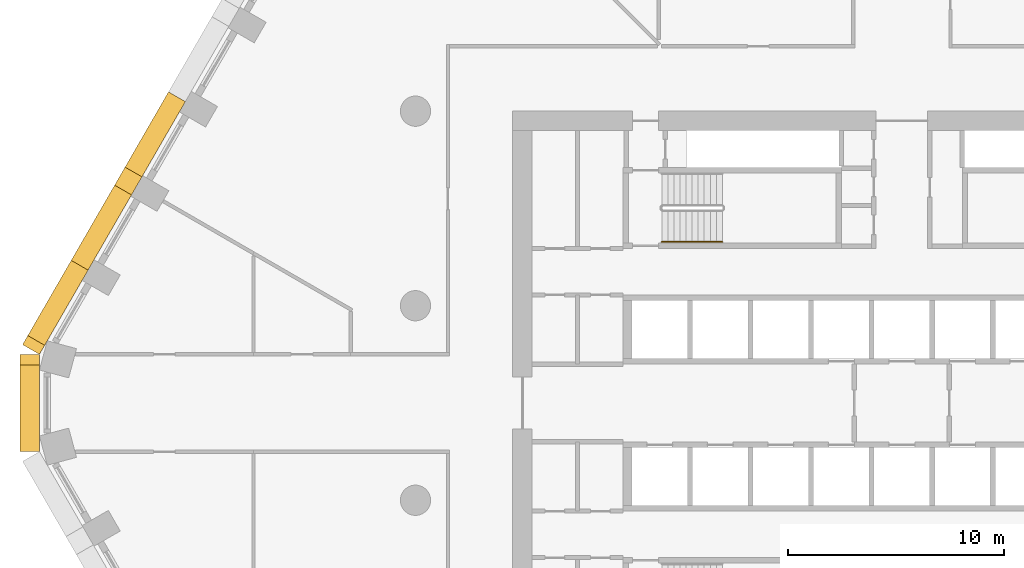
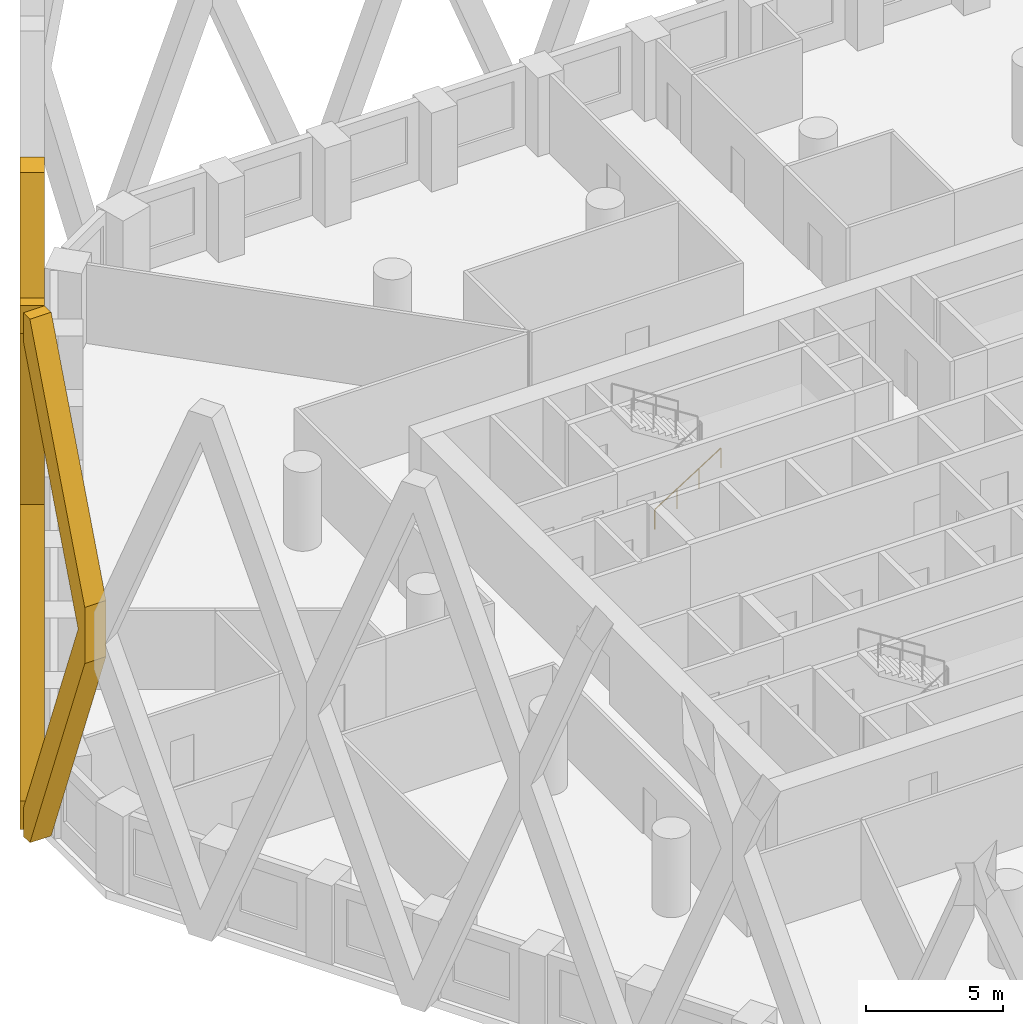
# One storey, part 14 of 18: 3 coverings, 1 railing.
"""IFC4 building model written with IfcOpenShell, lengths in metres."""

from ifc_helpers import new_model, si_unit, direction, frame, origin, origin_2d, place, context, subcontext, project, spatial, polyline, circle, outline, extrude, material, type_object, element, save


model = new_model("IFC4")

# Units and contexts
model_context = context("Model", 3, precision=1e-05, world=origin(), true_north=direction((0.0, 1.0)))
body_context = subcontext(model_context, "Body", "Model", "MODEL_VIEW")
ifc_project = project(units=[si_unit("LENGTHUNIT", "METRE"), si_unit("AREAUNIT", "SQUARE_METRE"), si_unit("VOLUMEUNIT", "CUBIC_METRE"), si_unit("PLANEANGLEUNIT", "RADIAN"), si_unit("MASSUNIT", "GRAM", prefix="KILO")], contexts=[model_context])

# Site, building, storey
site_placement = place(None, origin())
site = spatial("IfcSite", under=ifc_project, at=site_placement, CompositionType="ELEMENT")
building_placement = place(site_placement, origin())
building = spatial("IfcBuilding", under=site, at=building_placement, Name="Dhurran Vertical Campus", CompositionType="ELEMENT")
storey_placement = place(building_placement, frame((0.0, 0.0, 53.39990234375)))
storey = spatial("IfcBuildingStorey", under=building, at=storey_placement, Name="L12", CompositionType="ELEMENT", Elevation=53.39990234375)

# Coverings
ifc_material_1 = material(Name="Precast concrete C50/60", Category="concrete")
covering_type = type_object("IfcCoveringType", Name="Folded precast fin lattice diamond", PredefinedType="USERDEFINED", material=ifc_material_1)
covering_1_placement = place(storey_placement, frame((-33.147216796875, 13.94140625, 0.0), z_axis=(-0.866013897511, 0.50001992892, 0.0), x_axis=(-0.50001992892, -0.866013897511, 0.0)))
element("IfcCovering", 1, at=covering_1_placement, inside=storey, type_object=covering_type, Name="FN1 L12.025", ObjectType="FIN", PredefinedType="USERDEFINED", context=body_context, shape_type="SweptSolid", body=[
    extrude(outline(polyline([(9.0, 12.95361328125), (9.0, 10.4462890625), (4.982177734375, 0.0), (4.017822265625, 0.0), (0.0, 10.4462890625), (0.0, 12.95361328125), (4.017822265625, 23.39990234375), (4.982177734375, 23.39990234375), (9.0, 12.95361328125)]), holes=[polyline([(8.517822265625, 11.699951171875), (4.5, 22.146484375), (0.482177734375, 11.699951171875), (4.5, 1.253662109375), (8.517822265625, 11.699951171875)])]), origin(), (0.0, 0.0, 1.0), 0.89990234375),
])
covering_2_placement = place(storey_placement, frame((-37.647216796875, 6.147216796875, 0.0), z_axis=(-0.866013897511, 0.50001992892, 0.0), x_axis=(-0.50001992892, -0.866013897511, 0.0)))
element("IfcCovering", 2, at=covering_2_placement, inside=storey, type_object=covering_type, Name="FN1 L12.026", ObjectType="FIN", PredefinedType="USERDEFINED", context=body_context, shape_type="SweptSolid", body=[
    extrude(outline(polyline([(4.017822265625, 0.0), (0.0, 10.4462890625), (0.0, 12.95361328125), (4.017822265625, 23.39990234375), (4.5, 23.39990234375), (4.5, 22.146484375), (0.482177734375, 11.699951171875), (4.5, 1.253662109375), (4.5, 0.0), (4.017822265625, 0.0)])), origin(), (0.0, 0.0, 1.0), 0.89990234375),
])
covering_3_placement = place(storey_placement, frame((-39.897216796875, 2.25, 0.0), z_axis=(-1.0, 0.0, 0.0), x_axis=(0.0, -1.0, 0.0)))
element("IfcCovering", 3, at=covering_3_placement, inside=storey, type_object=covering_type, Name="FN1 L12.027", ObjectType="FIN", PredefinedType="USERDEFINED", context=body_context, shape_type="SweptSolid", body=[
    extrude(outline(polyline([(4.5, 10.4462890625), (0.482177734375, 0.0), (0.0, 0.0), (0.0, 1.253662109375), (4.017822265625, 11.699951171875), (0.0, 22.146484375), (0.0, 23.39990234375), (0.482177734375, 23.39990234375), (4.5, 12.95361328125), (4.5, 10.4462890625)])), origin(), (0.0, 0.0, 1.0), 0.89990234375),
])

# Railing
ifc_material_2 = material(Name="Stainless steel handrail", Category="steel")
railing_type = type_object("IfcRailingType", Name="co-RL-HANDRAIL-900", PredefinedType="HANDRAIL", material=ifc_material_2)
railing_placement = place(storey_placement, frame((-11.10009765625, 7.449951171875, 0.177490234375)))
element("IfcRailing", 4, at=railing_placement, inside=storey, type_object=railing_type, Name="L12 ST1 stair handrail 1", PredefinedType="HANDRAIL", context=body_context, shape_type="SweptSolid", body=[
    extrude(circle(Radius=0.02392578125, at=origin_2d()), frame((0.0, 0.0, 0.8759765625), z_axis=(0.844908973607, 0.0, 0.534910110503), x_axis=(0.0, 1.0, 0.0)), (0.0, 0.0, 1.0), 3.31396484375),
    extrude(circle(Radius=0.02099609375, at=origin_2d()), origin(), (0.0, 0.0, 1.0), 0.851806640625),
    extrude(circle(Radius=0.02099609375, at=origin_2d()), frame((0.933349609375, 0.0, 0.5908203125)), (0.0, 0.0, 1.0), 0.851806640625),
    extrude(circle(Radius=0.02099609375, at=origin_2d()), frame((1.86669921875, 0.0, 1.181884765625)), (0.0, 0.0, 1.0), 0.851806640625),
    extrude(circle(Radius=0.02099609375, at=origin_2d()), frame((2.800048828125, 0.0, 1.772705078125)), (0.0, 0.0, 1.0), 0.851806640625),
])

save(model, "model.ifc")
